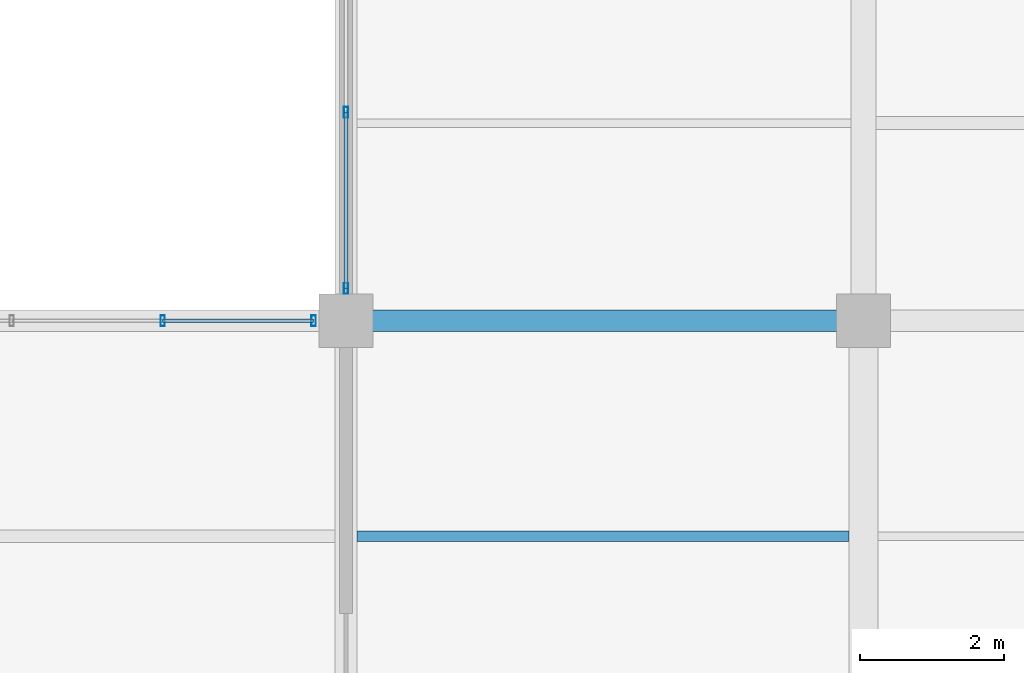
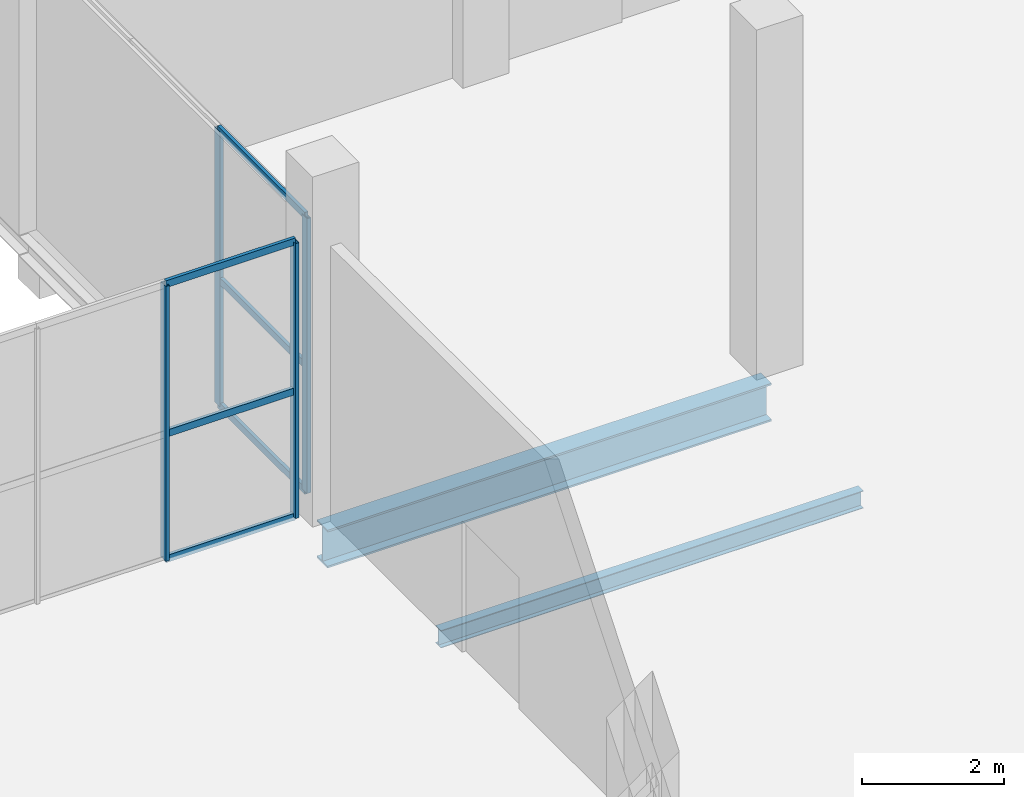
# One storey, part 105 of 144: 10 members, 2 beams, 2 elements without a shape of their own.
"""IFC4 building model written with IfcOpenShell, lengths in metres."""

from ifc_helpers import new_model, si_unit, direction, frame, origin, origin_2d, place, context, subcontext, project, spatial, hollow_rectangle, i_section, extrude, material, layer, layer_set, material_profile, profile_set, type_object, element, aggregate, save


model = new_model("IFC4")

# Units and contexts
model_context = context("Model", 3, precision=1e-05, world=origin(), true_north=direction((0.0, 1.0)))
body_context = subcontext(model_context, "Body", "Model", "MODEL_VIEW")
ifc_project = project(units=[si_unit("LENGTHUNIT", "METRE"), si_unit("AREAUNIT", "SQUARE_METRE"), si_unit("VOLUMEUNIT", "CUBIC_METRE"), si_unit("PLANEANGLEUNIT", "RADIAN"), si_unit("MASSUNIT", "GRAM", prefix="KILO")], contexts=[model_context])

# Site, building, storey
site_placement = place(None, origin())
site = spatial("IfcSite", under=ifc_project, at=site_placement, CompositionType="ELEMENT")
building_placement = place(site_placement, origin())
building = spatial("IfcBuilding", under=site, at=building_placement, Name="Sundgate Opera House", CompositionType="ELEMENT")
storey_placement = place(building_placement, origin())
storey = spatial("IfcBuildingStorey", under=building, at=storey_placement, Name="L00", CompositionType="ELEMENT", Elevation=0.0)

# Beams
ifc_material_1 = material(Name="Steel S355J2", Category="steel")
ifc_material_profile_1 = material_profile(ifc_material_1, i_section(OverallWidth=0.300048828125, OverallDepth=0.64990234375, WebThickness=0.01611328125, FlangeThickness=0.031005859375, at=origin_2d()), Name="HEB 650")
ifc_profile_set_1 = profile_set([ifc_material_profile_1], Name="Steel S355J2")
beam_type_1 = type_object("IfcBeamType", Name="BM-GR-HEB650", PredefinedType="BEAM", material=ifc_profile_set_1)
beam_1_placement = place(storey_placement, frame((153.0, 87.0, -0.64501953125), z_axis=(1.0, 0.0, 0.0), x_axis=(0.0, 1.0, 0.0)))
element("IfcBeam", 1, at=beam_1_placement, inside=storey, type_object=beam_type_1, Name="L00 Primary E-W Girder B0521", PredefinedType="BEAM", context=body_context, shape_type="SweptSolid", body=[
    extrude(i_section(OverallWidth=0.300048828125, OverallDepth=0.64990234375, WebThickness=0.01611328125, FlangeThickness=0.031005859375, at=origin_2d()), origin(), (0.0, 0.0, 1.0), 7.199951171875),
])
ifc_material_2 = material(Name="Steel S355J2", Category="steel")
ifc_material_profile_2 = material_profile(ifc_material_2, i_section(OverallWidth=0.14990234375, OverallDepth=0.300048828125, WebThickness=0.007080078125, FlangeThickness=0.0107421875, at=origin_2d()), Name="IPE 300")
ifc_profile_set_2 = profile_set([ifc_material_profile_2], Name="Steel S355J2")
beam_type_2 = type_object("IfcBeamType", Name="BM-JS-IPE300", PredefinedType="JOIST", material=ifc_profile_set_2)
beam_2_placement = place(storey_placement, frame((153.14990234375, 84.0, -0.469970703125), z_axis=(1.0, 0.0, 0.0), x_axis=(0.0, 1.0, 0.0)))
element("IfcBeam", 2, at=beam_2_placement, inside=storey, type_object=beam_type_2, Name="L00 Secondary Floor Joist B0914", PredefinedType="JOIST", context=body_context, shape_type="SweptSolid", body=[
    extrude(i_section(OverallWidth=0.14990234375, OverallDepth=0.300048828125, WebThickness=0.007080078125, FlangeThickness=0.0107421875, at=origin_2d()), origin(), (0.0, 0.0, 1.0), 6.85009765625),
])

# Curtain wall, members
ifc_material_3 = material(Name="Anodized aluminium and low-iron glass", Category="aluminium")
ifc_layer = layer(ifc_material_3, 0.159912109375)
ifc_layer_set = layer_set([ifc_layer], Name="Anodized aluminium and low-iron glass")
curtain_wall_type = type_object("IfcCurtainWallType", Name="CW-STUDIO-DARK", PredefinedType="NOTDEFINED", material=ifc_layer_set)
curtain_wall_1_placement = place(storey_placement, origin())
curtain_wall_1 = element("IfcCurtainWall", 3, at=curtain_wall_1_placement, inside=storey, type_object=curtain_wall_type, Name="L00 Curtain Wall CW086", PredefinedType="NOTDEFINED")
ifc_material_4 = material(Name="Anodized aluminium EN AW-6063", Category="aluminium")
ifc_material_profile_3 = material_profile(ifc_material_4, hollow_rectangle(XDim=0.06005859375, YDim=0.14990234375, WallThickness=0.00390625, at=origin_2d()), Name="CWM 150x60x4")
ifc_profile_set_3 = profile_set([ifc_material_profile_3], Name="Anodized aluminium EN AW-6063")
member_type_1 = type_object("IfcMemberType", Name="CWM-ALU-150x60", PredefinedType="MULLION", material=ifc_profile_set_3)
member_1_placement = place(storey_placement, frame((150.449951171875, 87.0, 0.0), z_axis=(0.0, 0.0, 1.0), x_axis=(1.0, 0.0, 0.0)))
member_1 = element("IfcMember", 4, at=member_1_placement, type_object=member_type_1, Name="CW086 Mullion 3", PredefinedType="MULLION", context=body_context, shape_type="SweptSolid", body=[
    extrude(hollow_rectangle(XDim=0.06005859375, YDim=0.14990234375, WallThickness=0.00390625, at=origin_2d()), origin(), (0.0, 0.0, 1.0), 4.715087890625),
])
member_2_placement = place(storey_placement, frame((152.550048828125, 87.0, 0.0), z_axis=(0.0, 0.0, 1.0), x_axis=(1.0, 0.0, 0.0)))
member_2 = element("IfcMember", 5, at=member_2_placement, type_object=member_type_1, Name="CW086 Mullion 4", PredefinedType="MULLION", context=body_context, shape_type="SweptSolid", body=[
    extrude(hollow_rectangle(XDim=0.06005859375, YDim=0.14990234375, WallThickness=0.00390625, at=origin_2d()), origin(), (0.0, 0.0, 1.0), 4.715087890625),
])

curtain_wall_2_placement = place(storey_placement, origin())
curtain_wall_2 = element("IfcCurtainWall", 6, at=curtain_wall_2_placement, inside=storey, type_object=curtain_wall_type, Name="L00 Curtain Wall CW089", PredefinedType="NOTDEFINED")
member_3_placement = place(storey_placement, frame((153.0, 89.89990234375, 0.0), z_axis=(0.0, 0.0, 1.0), x_axis=(1.0, 0.0, 0.0)))
member_3 = element("IfcMember", 7, at=member_3_placement, type_object=member_type_1, Name="CW089 Mullion 3", PredefinedType="MULLION", context=body_context, shape_type="SweptSolid", body=[
    extrude(hollow_rectangle(XDim=0.06005859375, YDim=0.14990234375, WallThickness=0.00390625, at=origin_2d()), origin(), (0.0, 0.0, 1.0), 4.715087890625),
])
member_4_placement = place(storey_placement, frame((153.0, 87.449951171875, 0.0), z_axis=(0.0, 0.0, 1.0), x_axis=(1.0, 0.0, 0.0)))
member_4 = element("IfcMember", 8, at=member_4_placement, type_object=member_type_1, Name="CW089 Mullion 4", PredefinedType="MULLION", context=body_context, shape_type="SweptSolid", body=[
    extrude(hollow_rectangle(XDim=0.06005859375, YDim=0.14990234375, WallThickness=0.00390625, at=origin_2d()), origin(), (0.0, 0.0, 1.0), 4.715087890625),
])

# Member
ifc_material_5 = material(Name="Anodized aluminium EN AW-6063", Category="aluminium")
ifc_material_profile_4 = material_profile(ifc_material_5, hollow_rectangle(XDim=0.054931640625, YDim=0.1201171875, WallThickness=0.00390625, at=origin_2d()), Name="CWT 120x55x4")
ifc_profile_set_4 = profile_set([ifc_material_profile_4], Name="Anodized aluminium EN AW-6063")
member_type_2 = type_object("IfcMemberType", Name="CWT-ALU-120x55", PredefinedType="USERDEFINED", material=ifc_profile_set_4)
member_5_placement = place(storey_placement, frame((150.449951171875, 87.0, 0.0), z_axis=(1.0, 0.0, 0.0), x_axis=(0.0, 1.0, 0.0)))
member_5 = element("IfcMember", 9, at=member_5_placement, type_object=member_type_2, Name="CW086 Transom 7", ObjectType="TRANSOM", PredefinedType="USERDEFINED", context=body_context, shape_type="SweptSolid", body=[
    extrude(hollow_rectangle(XDim=0.054931640625, YDim=0.1201171875, WallThickness=0.00390625, at=origin_2d()), origin(), (0.0, 0.0, 1.0), 2.10009765625),
])

member_6_placement = place(storey_placement, frame((150.449951171875, 87.0, 2.14990234375), z_axis=(1.0, 0.0, 0.0), x_axis=(0.0, 1.0, 0.0)))
member_6 = element("IfcMember", 10, at=member_6_placement, type_object=member_type_2, Name="CW086 Transom 8", ObjectType="TRANSOM", PredefinedType="USERDEFINED", context=body_context, shape_type="SweptSolid", body=[
    extrude(hollow_rectangle(XDim=0.054931640625, YDim=0.1201171875, WallThickness=0.00390625, at=origin_2d()), origin(), (0.0, 0.0, 1.0), 2.10009765625),
])

member_7_placement = place(storey_placement, frame((150.449951171875, 87.0, 4.715087890625), z_axis=(1.0, 0.0, 0.0), x_axis=(0.0, 1.0, 0.0)))
member_7 = element("IfcMember", 11, at=member_7_placement, type_object=member_type_2, Name="CW086 Transom 9", ObjectType="TRANSOM", PredefinedType="USERDEFINED", context=body_context, shape_type="SweptSolid", body=[
    extrude(hollow_rectangle(XDim=0.054931640625, YDim=0.1201171875, WallThickness=0.00390625, at=origin_2d()), origin(), (0.0, 0.0, 1.0), 2.10009765625),
])

aggregate(curtain_wall_1, [member_1, member_2, member_5, member_6, member_7])

member_8_placement = place(storey_placement, frame((153.0, 89.89990234375, 0.0), z_axis=(0.0, -1.0, 0.0), x_axis=(1.0, 0.0, 0.0)))
member_8 = element("IfcMember", 12, at=member_8_placement, type_object=member_type_2, Name="CW089 Transom 7", ObjectType="TRANSOM", PredefinedType="USERDEFINED", context=body_context, shape_type="SweptSolid", body=[
    extrude(hollow_rectangle(XDim=0.054931640625, YDim=0.1201171875, WallThickness=0.00390625, at=origin_2d()), origin(), (0.0, 0.0, 1.0), 2.449951171875),
])

member_9_placement = place(storey_placement, frame((153.0, 89.89990234375, 2.14990234375), z_axis=(0.0, -1.0, 0.0), x_axis=(1.0, 0.0, 0.0)))
member_9 = element("IfcMember", 13, at=member_9_placement, type_object=member_type_2, Name="CW089 Transom 8", ObjectType="TRANSOM", PredefinedType="USERDEFINED", context=body_context, shape_type="SweptSolid", body=[
    extrude(hollow_rectangle(XDim=0.054931640625, YDim=0.1201171875, WallThickness=0.00390625, at=origin_2d()), origin(), (0.0, 0.0, 1.0), 2.449951171875),
])

member_10_placement = place(storey_placement, frame((153.0, 89.89990234375, 4.715087890625), z_axis=(0.0, -1.0, 0.0), x_axis=(1.0, 0.0, 0.0)))
member_10 = element("IfcMember", 14, at=member_10_placement, type_object=member_type_2, Name="CW089 Transom 9", ObjectType="TRANSOM", PredefinedType="USERDEFINED", context=body_context, shape_type="SweptSolid", body=[
    extrude(hollow_rectangle(XDim=0.054931640625, YDim=0.1201171875, WallThickness=0.00390625, at=origin_2d()), origin(), (0.0, 0.0, 1.0), 2.449951171875),
])

aggregate(curtain_wall_2, [member_3, member_4, member_8, member_9, member_10])

save(model, "model.ifc")
